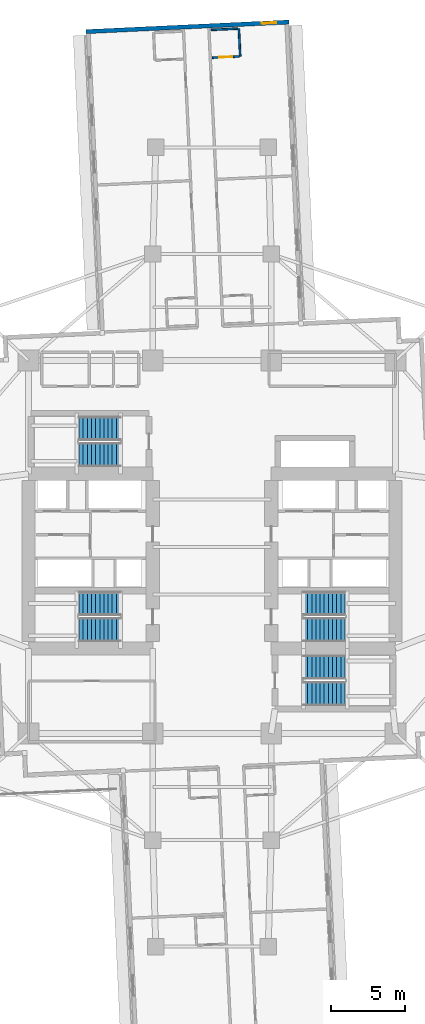
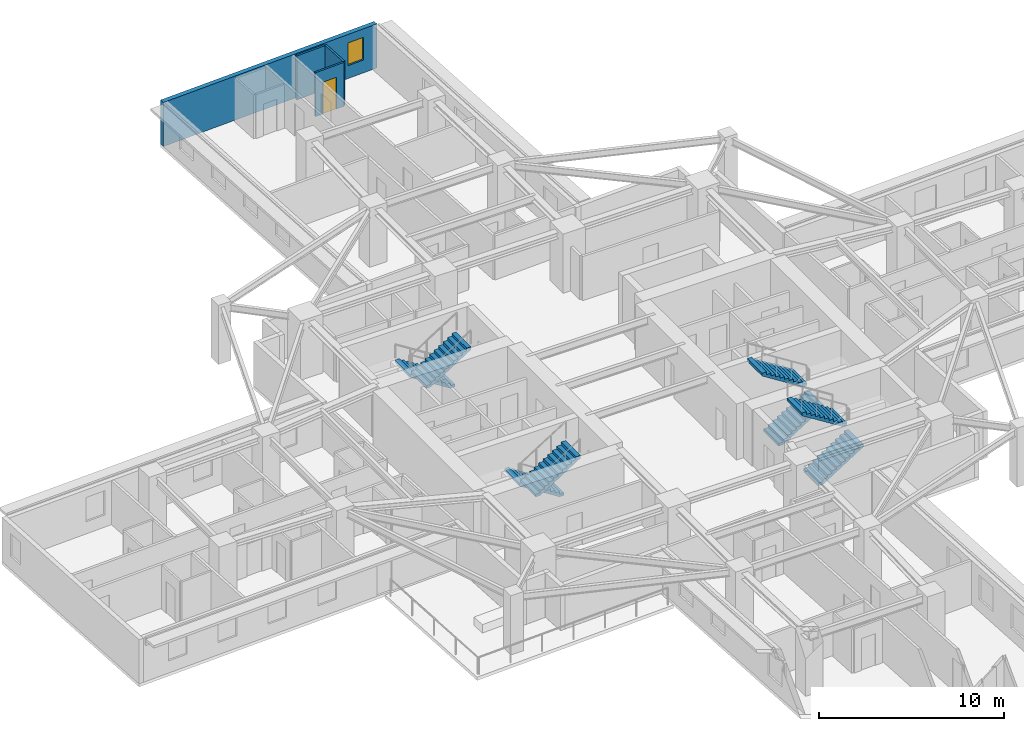
# One storey, part 9 of 14: 8 stair flights, 4 walls, 1 door, 1 window, 2 openings, 4 elements without a shape of their own.
"""IFC4 building model written with IfcOpenShell, lengths in metres."""

from ifc_helpers import new_model, si_unit, direction, frame, frame_2d, origin, place, context, subcontext, project, spatial, polyline, rectangle, outline, extrude, material, layer, layer_set, type_object, element, fill, aggregate, save


model = new_model("IFC4")

# Units and contexts
model_context = context("Model", 3, precision=1e-05, world=origin(), true_north=direction((0.0, 1.0)))
body_context = subcontext(model_context, "Body", "Model", "MODEL_VIEW")
ifc_project = project(units=[si_unit("LENGTHUNIT", "METRE"), si_unit("AREAUNIT", "SQUARE_METRE"), si_unit("VOLUMEUNIT", "CUBIC_METRE"), si_unit("PLANEANGLEUNIT", "RADIAN"), si_unit("MASSUNIT", "GRAM", prefix="KILO")], contexts=[model_context])

# Site, building, storey
site_placement = place(None, origin())
site = spatial("IfcSite", under=ifc_project, at=site_placement, CompositionType="ELEMENT")
building_placement = place(site_placement, origin())
building = spatial("IfcBuilding", under=site, at=building_placement, Name="Qingluan Cross Belvedere", CompositionType="ELEMENT")
storey_placement = place(building_placement, frame((0.0, 0.0, 52.199951171875)))
storey = spatial("IfcBuildingStorey", under=building, at=storey_placement, Name="L13", CompositionType="ELEMENT", Elevation=52.199951171875)

# Wall, opening, door
ifc_material_1 = material(Name="Moisture-resistant gypsum board lining")
ifc_layer_1 = layer(ifc_material_1, 0.1201171875, Name="EnsuiteWetPartition_120")
ifc_layer_set_1 = layer_set([ifc_layer_1], Name="Moisture-resistant gypsum board lining")
wall_type_1 = type_object("IfcWallType", Name="EnsuiteWetPartition_120", PredefinedType="PARTITIONING", material=ifc_layer_set_1)
wall_1_placement = place(storey_placement, frame((0.022705078125, 33.057861328125, 0.0), z_axis=(0.0, 0.0, 1.0), x_axis=(0.998891083954, 0.047080807099, 0.0)))
wall_1 = element("IfcWall", 1, at=wall_1_placement, inside=storey, type_object=wall_type_1, Name="Partition L13:N:bs0_1", PredefinedType="PARTITIONING", context=body_context, shape_type="SweptSolid", body=[
    extrude(rectangle(XDim=1.820068359375, YDim=0.1201171875, at=frame_2d((0.91015625, 0.0))), origin(), (0.0, 0.0, 1.0), 2.900146484375),
])
opening_1_placement = place(wall_1_placement, frame((0.469970703125, 0.0, 0.0)))
opening_1 = element("IfcOpeningElement", 2, at=opening_1_placement, cuts=wall_1, Name="Opening BD-09", PredefinedType="OPENING", context=body_context, shape_type="SweptSolid", body=[
    extrude(rectangle(XDim=0.8798828125, YDim=2.10009765625, at=frame_2d((0.43994140625, 1.050048828125))), frame((0.0, 0.070068359375, 0.0), z_axis=(0.0, -1.0, 0.0), x_axis=(1.0, 0.0, 0.0)), (0.0, 0.0, 1.0), 0.14013671875),
])
ifc_material_2 = material(Name="Moisture-sealed timber en-suite door", Category="wood")
door_type = type_object("IfcDoorType", Name="BathroomDoor_880", OperationType="NOTDEFINED", PredefinedType="DOOR", material=ifc_material_2)
door_placement = place(opening_1_placement, origin())
door = element("IfcDoor", 3, at=door_placement, inside=storey, type_object=door_type, Name="Bathroom door 1314", OperationType="SINGLE_SWING_RIGHT", OverallHeight=2.10009765625, OverallWidth=0.8798828125, PredefinedType="DOOR", context=body_context, shape_type="SweptSolid", body=[
    extrude(rectangle(XDim=0.8798828125, YDim=2.10009765625, at=frame_2d((0.43994140625, 1.050048828125))), frame((0.0, 0.02490234375, 0.0), z_axis=(0.0, -1.0, 0.0), x_axis=(1.0, 0.0, 0.0)), (0.0, 0.0, 1.0), 0.050048828125),
])
fill(opening_1, door)

# Walls
wall_2_placement = place(storey_placement, frame((-0.06591796875, 34.935791015625, 0.0), z_axis=(0.0, 0.0, 1.0), x_axis=(0.998891083954, 0.047080807099, 0.0)))
element("IfcWall", 4, at=wall_2_placement, inside=storey, type_object=wall_type_1, Name="Partition L13:N:bw0_1", PredefinedType="PARTITIONING", context=body_context, shape_type="SweptSolid", body=[
    extrude(rectangle(XDim=1.820068359375, YDim=0.1201171875, at=frame_2d((0.91015625, 0.0))), origin(), (0.0, 0.0, 1.0), 2.900146484375),
])
wall_3_placement = place(storey_placement, frame((1.90576171875, 33.146484375, 0.0), z_axis=(0.0, 0.0, 1.0), x_axis=(-0.047139425368, 0.998888319371, 0.0)))
element("IfcWall", 5, at=wall_3_placement, inside=storey, type_object=wall_type_1, Name="Partition L13:N:bn0_1", PredefinedType="PARTITIONING", context=body_context, shape_type="SweptSolid", body=[
    extrude(rectangle(XDim=1.880126953125, YDim=0.1201171875, at=frame_2d((0.93994140625, 0.0))), origin(), (0.0, 0.0, 1.0), 2.900146484375),
])

# Wall, opening, window
ifc_material_3 = material(Name="Precast concrete C45", Category="concrete")
ifc_layer_2 = layer(ifc_material_3, 0.280029296875, Name="PrecastFacadeWall_280")
ifc_layer_set_2 = layer_set([ifc_layer_2], Name="Precast concrete C45")
wall_type_2 = type_object("IfcWallType", Name="PrecastFacadeWall_280", PredefinedType="STANDARD", material=ifc_layer_set_2)
wall_4_placement = place(storey_placement, frame((5.1953125, 35.464111328125, 0.0), z_axis=(0.0, 0.0, 1.0), x_axis=(-0.998890092147, -0.047101845086, 0.0)))
wall_4 = element("IfcWall", 6, at=wall_4_placement, inside=storey, type_object=wall_type_2, Name="Arm tip precast facade wall L13-N", PredefinedType="STANDARD", context=body_context, shape_type="SweptSolid", body=[
    extrude(rectangle(XDim=13.719970703125, YDim=0.280029296875, at=frame_2d((6.85986328125, 0.0))), origin(), (0.0, 0.0, 1.0), 2.91015625),
])
opening_2_placement = place(wall_4_placement, frame((0.85009765625, 0.0, 0.85009765625)))
opening_2 = element("IfcOpeningElement", 7, at=opening_2_placement, cuts=wall_4, Name="Opening W-03", PredefinedType="OPENING", context=body_context, shape_type="SweptSolid", body=[
    extrude(rectangle(XDim=1.0, YDim=1.5, at=frame_2d((0.5, 0.75))), frame((0.0, 0.14990234375, 0.0), z_axis=(0.0, -1.0, 0.0), x_axis=(1.0, 0.0, 0.0)), (0.0, 0.0, 1.0), 0.300048828125),
])
ifc_material_4 = material(Name="Thermally broken triple Low-E glass in aluminium frame", Category="aluminium")
window_type = type_object("IfcWindowType", Name="TriApexWin_1000x1500", PartitioningType="SINGLE_PANEL", PredefinedType="WINDOW", material=ifc_material_4)
window_placement = place(opening_2_placement, origin())
window = element("IfcWindow", 8, at=window_placement, inside=storey, type_object=window_type, Name="Arm tip triangular window L13-N", OverallHeight=1.5, OverallWidth=1.0, PartitioningType="SINGLE_PANEL", PredefinedType="WINDOW", context=body_context, shape_type="SweptSolid", body=[
    extrude(rectangle(XDim=1.0, YDim=1.5, at=frame_2d((0.5, 0.75))), frame((0.0, 0.030029296875, 0.0), z_axis=(0.0, -1.0, 0.0), x_axis=(1.0, 0.0, 0.0)), (0.0, 0.0, 1.0), 0.06005859375),
])
fill(opening_2, window)

# Stair, stair flights
ifc_material_5 = material(Name="Concrete C40", Category="concrete")
stair_type = type_object("IfcStairType", Name="CoreDoglegStair_1620", PredefinedType="HALF_TURN_STAIR", material=ifc_material_5)
stair_1_placement = place(storey_placement, origin())
stair_1 = element("IfcStair", 9, at=stair_1_placement, inside=storey, type_object=stair_type, Name="L13 ST1", PredefinedType="HALF_TURN_STAIR")
ifc_material_6 = material(Name="Concrete C40", Category="concrete")
ifc_layer_3 = layer(ifc_material_6, 0.179931640625, Name="StairFlight_RC180")
ifc_layer_set_3 = layer_set([ifc_layer_3], Name="Concrete C40")
stair_flight_type = type_object("IfcStairFlightType", Name="StairFlight_RC180", PredefinedType="STRAIGHT", material=ifc_layer_set_3)
stair_flight_1_placement = place(storey_placement, frame((-6.179931640625, -3.81005859375, 0.0), z_axis=(0.0, 0.0, 1.0), x_axis=(-1.0, 0.0, 0.0)))
stair_flight_1 = element("IfcStairFlight", 10, at=stair_flight_1_placement, type_object=stair_flight_type, Name="ST1 flight 1", NumberOfRisers=11, NumberOfTreads=10, PredefinedType="STRAIGHT", RiserHeight=0.177272727, TreadLength=0.28, context=body_context, shape_type="SweptSolid", body=[
    extrude(outline(polyline([(0.0, 0.0), (0.0, 0.17724609375), (0.280029296875, 0.17724609375), (0.280029296875, 0.3544921875), (0.56005859375, 0.3544921875), (0.56005859375, 0.53173828125), (0.840087890625, 0.53173828125), (0.840087890625, 0.708984375), (1.1201171875, 0.708984375), (1.1201171875, 0.886474609375), (1.39990234375, 0.886474609375), (1.39990234375, 1.063720703125), (1.679931640625, 1.063720703125), (1.679931640625, 1.240966796875), (1.9599609375, 1.240966796875), (1.9599609375, 1.418212890625), (2.239990234375, 1.418212890625), (2.239990234375, 1.595458984375), (2.52001953125, 1.595458984375), (2.52001953125, 1.772705078125), (2.800048828125, 1.772705078125), (2.800048828125, 1.949951171875), (2.800048828125, 1.59521484375), (0.2802734375, 0.0), (0.0, 0.0)])), frame((0.0, 0.81005859375, 0.0), z_axis=(0.0, -1.0, 0.0), x_axis=(1.0, 0.0, 0.0)), (0.0, 0.0, 1.0), 1.6201171875),
])
stair_flight_2_placement = place(storey_placement, frame((-8.97998046875, -5.590087890625, 1.949951171875), z_axis=(0.0, 0.0, 1.0), x_axis=(1.0, 0.0, 0.0)))
stair_flight_2 = element("IfcStairFlight", 11, at=stair_flight_2_placement, type_object=stair_flight_type, Name="ST1 flight 2", NumberOfRisers=11, NumberOfTreads=10, PredefinedType="STRAIGHT", RiserHeight=0.177272727, TreadLength=0.28, context=body_context, shape_type="SweptSolid", body=[
    extrude(outline(polyline([(0.0, 0.0), (0.0, 0.17724609375), (0.280029296875, 0.17724609375), (0.280029296875, 0.3544921875), (0.56005859375, 0.3544921875), (0.56005859375, 0.53173828125), (0.840087890625, 0.53173828125), (0.840087890625, 0.708984375), (1.1201171875, 0.708984375), (1.1201171875, 0.886474609375), (1.39990234375, 0.886474609375), (1.39990234375, 1.063720703125), (1.679931640625, 1.063720703125), (1.679931640625, 1.240966796875), (1.9599609375, 1.240966796875), (1.9599609375, 1.418212890625), (2.239990234375, 1.418212890625), (2.239990234375, 1.595458984375), (2.52001953125, 1.595458984375), (2.52001953125, 1.772705078125), (2.800048828125, 1.772705078125), (2.800048828125, 1.949951171875), (2.800048828125, 1.59521484375), (0.2802734375, 0.0), (0.0, 0.0)])), frame((0.0, 0.81005859375, 0.0), z_axis=(0.0, -1.0, 0.0), x_axis=(1.0, 0.0, 0.0)), (0.0, 0.0, 1.0), 1.6201171875),
])
aggregate(stair_1, [stair_flight_1, stair_flight_2])

stair_2_placement = place(storey_placement, origin())
stair_2 = element("IfcStair", 12, at=stair_2_placement, inside=storey, type_object=stair_type, Name="L13 ST2", PredefinedType="HALF_TURN_STAIR")
stair_flight_3_placement = place(storey_placement, frame((6.179931640625, -5.590087890625, 0.0), z_axis=(0.0, 0.0, 1.0), x_axis=(1.0, 0.0, 0.0)))
stair_flight_3 = element("IfcStairFlight", 13, at=stair_flight_3_placement, type_object=stair_flight_type, Name="ST2 flight 1", NumberOfRisers=11, NumberOfTreads=10, PredefinedType="STRAIGHT", RiserHeight=0.177272727, TreadLength=0.28, context=body_context, shape_type="SweptSolid", body=[
    extrude(outline(polyline([(0.0, 0.0), (0.0, 0.17724609375), (0.280029296875, 0.17724609375), (0.280029296875, 0.3544921875), (0.56005859375, 0.3544921875), (0.56005859375, 0.53173828125), (0.840087890625, 0.53173828125), (0.840087890625, 0.708984375), (1.1201171875, 0.708984375), (1.1201171875, 0.886474609375), (1.39990234375, 0.886474609375), (1.39990234375, 1.063720703125), (1.679931640625, 1.063720703125), (1.679931640625, 1.240966796875), (1.9599609375, 1.240966796875), (1.9599609375, 1.418212890625), (2.239990234375, 1.418212890625), (2.239990234375, 1.595458984375), (2.52001953125, 1.595458984375), (2.52001953125, 1.772705078125), (2.800048828125, 1.772705078125), (2.800048828125, 1.949951171875), (2.800048828125, 1.59521484375), (0.2802734375, 0.0), (0.0, 0.0)])), frame((0.0, 0.81005859375, 0.0), z_axis=(0.0, -1.0, 0.0), x_axis=(1.0, 0.0, 0.0)), (0.0, 0.0, 1.0), 1.6201171875),
])
stair_flight_4_placement = place(storey_placement, frame((8.97998046875, -3.81005859375, 1.949951171875), z_axis=(0.0, 0.0, 1.0), x_axis=(-1.0, 0.0, 0.0)))
stair_flight_4 = element("IfcStairFlight", 14, at=stair_flight_4_placement, type_object=stair_flight_type, Name="ST2 flight 2", NumberOfRisers=11, NumberOfTreads=10, PredefinedType="STRAIGHT", RiserHeight=0.177272727, TreadLength=0.28, context=body_context, shape_type="SweptSolid", body=[
    extrude(outline(polyline([(0.0, 0.0), (0.0, 0.17724609375), (0.280029296875, 0.17724609375), (0.280029296875, 0.3544921875), (0.56005859375, 0.3544921875), (0.56005859375, 0.53173828125), (0.840087890625, 0.53173828125), (0.840087890625, 0.708984375), (1.1201171875, 0.708984375), (1.1201171875, 0.886474609375), (1.39990234375, 0.886474609375), (1.39990234375, 1.063720703125), (1.679931640625, 1.063720703125), (1.679931640625, 1.240966796875), (1.9599609375, 1.240966796875), (1.9599609375, 1.418212890625), (2.239990234375, 1.418212890625), (2.239990234375, 1.595458984375), (2.52001953125, 1.595458984375), (2.52001953125, 1.772705078125), (2.800048828125, 1.772705078125), (2.800048828125, 1.949951171875), (2.800048828125, 1.59521484375), (0.2802734375, 0.0), (0.0, 0.0)])), frame((0.0, 0.81005859375, 0.0), z_axis=(0.0, -1.0, 0.0), x_axis=(1.0, 0.0, 0.0)), (0.0, 0.0, 1.0), 1.6201171875),
])
aggregate(stair_2, [stair_flight_3, stair_flight_4])

stair_3_placement = place(storey_placement, origin())
stair_3 = element("IfcStair", 15, at=stair_3_placement, inside=storey, type_object=stair_type, Name="L13 ST3", PredefinedType="HALF_TURN_STAIR")
stair_flight_5_placement = place(storey_placement, frame((-6.179931640625, 8.010009765625, 0.0), z_axis=(0.0, 0.0, 1.0), x_axis=(-1.0, 0.0, 0.0)))
stair_flight_5 = element("IfcStairFlight", 16, at=stair_flight_5_placement, type_object=stair_flight_type, Name="ST3 flight 1", NumberOfRisers=11, NumberOfTreads=10, PredefinedType="STRAIGHT", RiserHeight=0.177272727, TreadLength=0.28, context=body_context, shape_type="SweptSolid", body=[
    extrude(outline(polyline([(0.0, 0.0), (0.0, 0.17724609375), (0.280029296875, 0.17724609375), (0.280029296875, 0.3544921875), (0.56005859375, 0.3544921875), (0.56005859375, 0.53173828125), (0.840087890625, 0.53173828125), (0.840087890625, 0.708984375), (1.1201171875, 0.708984375), (1.1201171875, 0.886474609375), (1.39990234375, 0.886474609375), (1.39990234375, 1.063720703125), (1.679931640625, 1.063720703125), (1.679931640625, 1.240966796875), (1.9599609375, 1.240966796875), (1.9599609375, 1.418212890625), (2.239990234375, 1.418212890625), (2.239990234375, 1.595458984375), (2.52001953125, 1.595458984375), (2.52001953125, 1.772705078125), (2.800048828125, 1.772705078125), (2.800048828125, 1.949951171875), (2.800048828125, 1.59521484375), (0.2802734375, 0.0), (0.0, 0.0)])), frame((0.0, 0.81005859375, 0.0), z_axis=(0.0, -1.0, 0.0), x_axis=(1.0, 0.0, 0.0)), (0.0, 0.0, 1.0), 1.6201171875),
])
stair_flight_6_placement = place(storey_placement, frame((-8.97998046875, 6.22998046875, 1.949951171875), z_axis=(0.0, 0.0, 1.0), x_axis=(1.0, 0.0, 0.0)))
stair_flight_6 = element("IfcStairFlight", 17, at=stair_flight_6_placement, type_object=stair_flight_type, Name="ST3 flight 2", NumberOfRisers=11, NumberOfTreads=10, PredefinedType="STRAIGHT", RiserHeight=0.177272727, TreadLength=0.28, context=body_context, shape_type="SweptSolid", body=[
    extrude(outline(polyline([(0.0, 0.0), (0.0, 0.17724609375), (0.280029296875, 0.17724609375), (0.280029296875, 0.3544921875), (0.56005859375, 0.3544921875), (0.56005859375, 0.53173828125), (0.840087890625, 0.53173828125), (0.840087890625, 0.708984375), (1.1201171875, 0.708984375), (1.1201171875, 0.886474609375), (1.39990234375, 0.886474609375), (1.39990234375, 1.063720703125), (1.679931640625, 1.063720703125), (1.679931640625, 1.240966796875), (1.9599609375, 1.240966796875), (1.9599609375, 1.418212890625), (2.239990234375, 1.418212890625), (2.239990234375, 1.595458984375), (2.52001953125, 1.595458984375), (2.52001953125, 1.772705078125), (2.800048828125, 1.772705078125), (2.800048828125, 1.949951171875), (2.800048828125, 1.59521484375), (0.2802734375, 0.0), (0.0, 0.0)])), frame((0.0, 0.81005859375, 0.0), z_axis=(0.0, -1.0, 0.0), x_axis=(1.0, 0.0, 0.0)), (0.0, 0.0, 1.0), 1.6201171875),
])
aggregate(stair_3, [stair_flight_5, stair_flight_6])

stair_4_placement = place(storey_placement, origin())
stair_4 = element("IfcStair", 18, at=stair_4_placement, inside=storey, type_object=stair_type, Name="L13 ST4", PredefinedType="HALF_TURN_STAIR")
stair_flight_7_placement = place(storey_placement, frame((6.179931640625, -9.909912109375, 0.0), z_axis=(0.0, 0.0, 1.0), x_axis=(1.0, 0.0, 0.0)))
stair_flight_7 = element("IfcStairFlight", 19, at=stair_flight_7_placement, type_object=stair_flight_type, Name="ST4 flight 1", NumberOfRisers=11, NumberOfTreads=10, PredefinedType="STRAIGHT", RiserHeight=0.177272727, TreadLength=0.28, context=body_context, shape_type="SweptSolid", body=[
    extrude(outline(polyline([(0.0, 0.0), (0.0, 0.17724609375), (0.280029296875, 0.17724609375), (0.280029296875, 0.3544921875), (0.56005859375, 0.3544921875), (0.56005859375, 0.53173828125), (0.840087890625, 0.53173828125), (0.840087890625, 0.708984375), (1.1201171875, 0.708984375), (1.1201171875, 0.886474609375), (1.39990234375, 0.886474609375), (1.39990234375, 1.063720703125), (1.679931640625, 1.063720703125), (1.679931640625, 1.240966796875), (1.9599609375, 1.240966796875), (1.9599609375, 1.418212890625), (2.239990234375, 1.418212890625), (2.239990234375, 1.595458984375), (2.52001953125, 1.595458984375), (2.52001953125, 1.772705078125), (2.800048828125, 1.772705078125), (2.800048828125, 1.949951171875), (2.800048828125, 1.59521484375), (0.2802734375, 0.0), (0.0, 0.0)])), frame((0.0, 0.81005859375, 0.0), z_axis=(0.0, -1.0, 0.0), x_axis=(1.0, 0.0, 0.0)), (0.0, 0.0, 1.0), 1.6201171875),
])
stair_flight_8_placement = place(storey_placement, frame((8.97998046875, -8.1298828125, 1.949951171875), z_axis=(0.0, 0.0, 1.0), x_axis=(-1.0, 0.0, 0.0)))
stair_flight_8 = element("IfcStairFlight", 20, at=stair_flight_8_placement, type_object=stair_flight_type, Name="ST4 flight 2", NumberOfRisers=11, NumberOfTreads=10, PredefinedType="STRAIGHT", RiserHeight=0.177272727, TreadLength=0.28, context=body_context, shape_type="SweptSolid", body=[
    extrude(outline(polyline([(0.0, 0.0), (0.0, 0.17724609375), (0.280029296875, 0.17724609375), (0.280029296875, 0.3544921875), (0.56005859375, 0.3544921875), (0.56005859375, 0.53173828125), (0.840087890625, 0.53173828125), (0.840087890625, 0.708984375), (1.1201171875, 0.708984375), (1.1201171875, 0.886474609375), (1.39990234375, 0.886474609375), (1.39990234375, 1.063720703125), (1.679931640625, 1.063720703125), (1.679931640625, 1.240966796875), (1.9599609375, 1.240966796875), (1.9599609375, 1.418212890625), (2.239990234375, 1.418212890625), (2.239990234375, 1.595458984375), (2.52001953125, 1.595458984375), (2.52001953125, 1.772705078125), (2.800048828125, 1.772705078125), (2.800048828125, 1.949951171875), (2.800048828125, 1.59521484375), (0.2802734375, 0.0), (0.0, 0.0)])), frame((0.0, 0.81005859375, 0.0), z_axis=(0.0, -1.0, 0.0), x_axis=(1.0, 0.0, 0.0)), (0.0, 0.0, 1.0), 1.6201171875),
])
aggregate(stair_4, [stair_flight_7, stair_flight_8])

save(model, "model.ifc")
